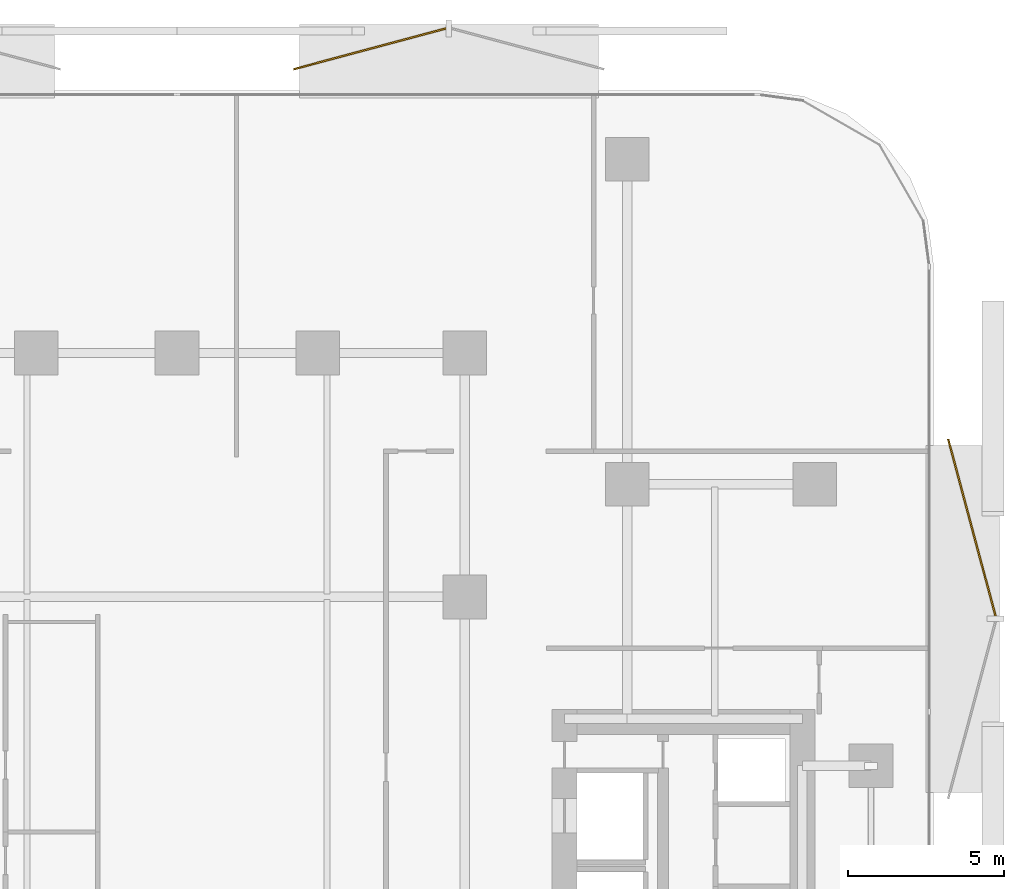
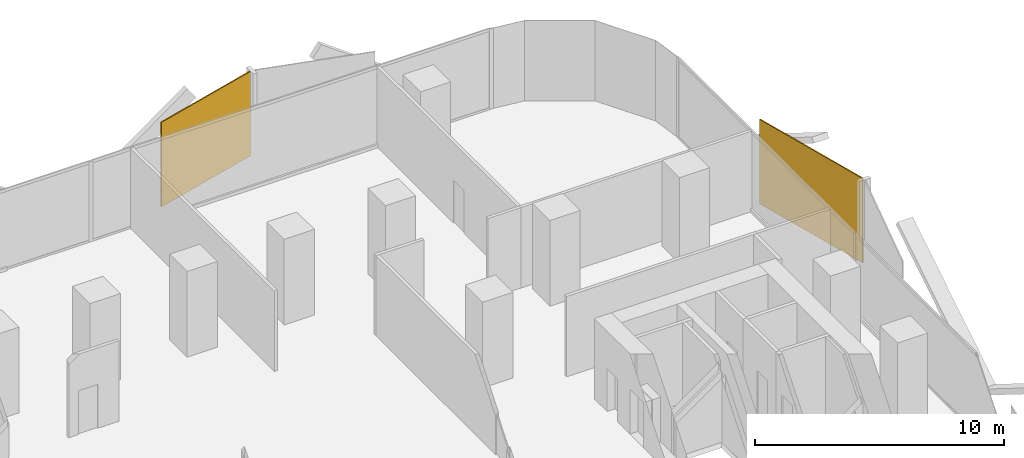
# One storey, part 15 of 15: 2 coverings.
"""IFC4 building model written with IfcOpenShell, lengths in metres."""

from ifc_helpers import new_model, si_unit, direction, frame, origin, origin_2d, place, context, subcontext, project, spatial, rectangle, extrude, material, layer, layer_set, type_object, element, save


model = new_model("IFC4")

# Units and contexts
model_context = context("Model", 3, precision=1e-05, world=origin(), true_north=direction((0.0, 1.0)))
body_context = subcontext(model_context, "Body", "Model", "MODEL_VIEW")
ifc_project = project(units=[si_unit("LENGTHUNIT", "METRE"), si_unit("AREAUNIT", "SQUARE_METRE"), si_unit("VOLUMEUNIT", "CUBIC_METRE"), si_unit("PLANEANGLEUNIT", "RADIAN"), si_unit("MASSUNIT", "GRAM", prefix="KILO")], contexts=[model_context])

# Site, building, storey
site_placement = place(None, origin())
site = spatial("IfcSite", under=ifc_project, at=site_placement, CompositionType="ELEMENT")
building_placement = place(site_placement, origin())
building = spatial("IfcBuilding", under=site, at=building_placement, Name="Khairoan Windgate Tower", CompositionType="ELEMENT")
storey_placement = place(building_placement, frame((0.0, 0.0, 51.199951171875)))
storey = spatial("IfcBuildingStorey", under=building, at=storey_placement, Name="L12", CompositionType="ELEMENT", Elevation=51.199951171875)

# Coverings
ifc_material = material(Name="Anodised Bronze Aluminium 6063-T6", Category="aluminium")
ifc_layer = layer(ifc_material, 0.054931640625, Name="Anodised Bronze Aluminium 6063-T6")
ifc_layer_set = layer_set([ifc_layer], Name="Anodised Bronze Aluminium 6063-T6")
covering_type = type_object("IfcCoveringType", Name="Perforated Bronze-Ceramic Folded Solar Screen Cladding BSC-1", PredefinedType="CLADDING", material=ifc_layer_set)
covering_1_placement = place(storey_placement, frame((6.169921875, 28.327392578125, -0.10009765625), z_axis=(0.0, 0.0, 1.0), x_axis=(0.965925826289, 0.258819045103, 0.0)))
element("IfcCovering", 1, at=covering_1_placement, inside=storey, type_object=covering_type, Name="L12 Folded Bronze Solar Screen Facet 54L", PredefinedType="CLADDING", context=body_context, shape_type="SweptSolid", body=[
    extrude(rectangle(XDim=5.04296875, YDim=0.054931640625, at=origin_2d()), origin(), (0.0, 0.0, 1.0), 4.139892578125),
])
covering_2_placement = place(storey_placement, frame((25.42236328125, 13.01318359375, -0.10009765625), z_axis=(0.0, 0.0, 1.0), x_axis=(0.258819045103, -0.965925826289, 0.0)))
element("IfcCovering", 2, at=covering_2_placement, inside=storey, type_object=covering_type, Name="L12 Folded Bronze Solar Screen Facet 55L", PredefinedType="CLADDING", context=body_context, shape_type="SweptSolid", body=[
    extrude(rectangle(XDim=5.85498046875, YDim=0.054931640625, at=origin_2d()), origin(), (0.0, 0.0, 1.0), 4.139892578125),
])

save(model, "model.ifc")
